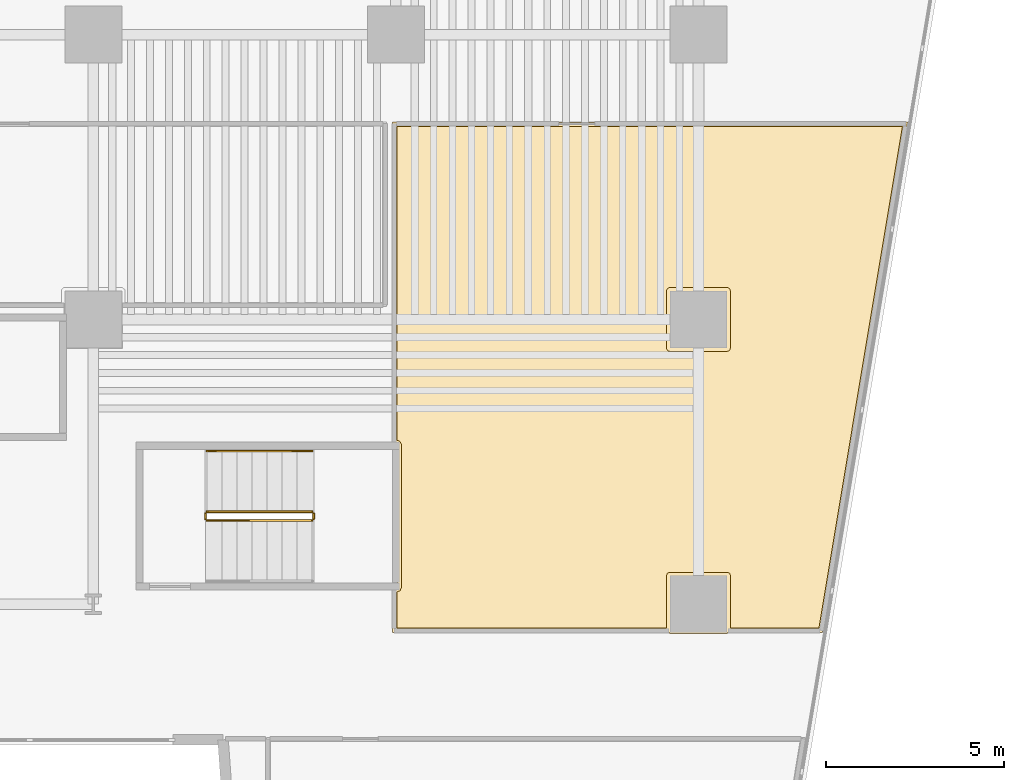
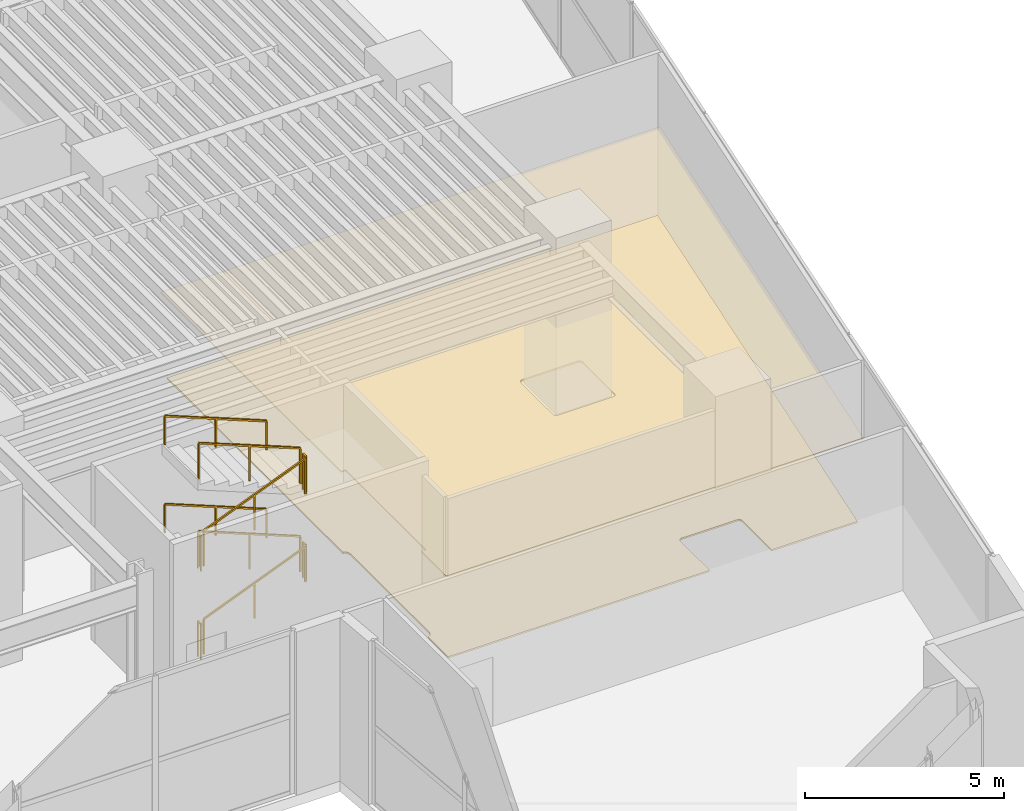
# One storey, part 15 of 16: 10 railings, 2 coverings.
"""IFC4 building model written with IfcOpenShell, lengths in metres."""

from ifc_helpers import new_model, si_unit, direction, frame, origin, origin_2d, place, context, subcontext, project, spatial, polyline, rectangle, outline, extrude, material, layer, layer_set, type_object, element, save


model = new_model("IFC4")

# Units and contexts
model_context = context("Model", 3, precision=1e-05, world=origin(), true_north=direction((0.0, 1.0)))
body_context = subcontext(model_context, "Body", "Model", "MODEL_VIEW")
ifc_project = project(units=[si_unit("LENGTHUNIT", "METRE"), si_unit("AREAUNIT", "SQUARE_METRE"), si_unit("VOLUMEUNIT", "CUBIC_METRE"), si_unit("PLANEANGLEUNIT", "RADIAN"), si_unit("MASSUNIT", "GRAM", prefix="KILO")], contexts=[model_context])

# Site, building, storey
site_placement = place(None, origin())
site = spatial("IfcSite", under=ifc_project, at=site_placement, CompositionType="ELEMENT")
building_placement = place(site_placement, origin())
building = spatial("IfcBuilding", under=site, at=building_placement, Name="Caeloran Harvest Quay", CompositionType="ELEMENT")
storey_placement = place(building_placement, frame((0.0, 0.0, 16.199951171875)))
storey = spatial("IfcBuildingStorey", under=building, at=storey_placement, Name="L04", CompositionType="ELEMENT", Elevation=16.199951171875)

# Coverings
ifc_material_1 = material(Name="Perforated Mineral-Fibre Acoustic Ceiling Tile", Category="ceiling")
ifc_layer_1 = layer(ifc_material_1, 0.0400390625, Name="Perforated Mineral-Fibre Acoustic Ceiling Tile")
ifc_layer_set_1 = layer_set([ifc_layer_1], Name="Perforated Mineral-Fibre Acoustic Ceiling Tile")
covering_type_1 = type_object("IfcCoveringType", Name="COV-CEILING-ACOUSTIC", PredefinedType="CEILING", material=ifc_layer_set_1)
covering_1_placement = place(storey_placement, frame((0.0, 0.0, 2.60009765625)))
element("IfcCovering", 1, at=covering_1_placement, inside=storey, type_object=covering_type_1, Name="Community Harvest Library Lounge Acoustic Ceiling", PredefinedType="CEILING", context=body_context, shape_type="SweptSolid", body=[
    extrude(outline(polyline([(51.820068359375, 14.179931640625), (50.179931640625, 14.179931640625), (50.179931640625, 14.2099609375), (42.409912109375, 14.2099609375), (42.409912109375, 15.4599609375), (42.52392578125, 15.46044921875), (42.5400390625, 15.48095703125), (42.5400390625, 19.468994140625), (42.52392578125, 19.489501953125), (42.409912109375, 19.489990234375), (42.409912109375, 28.5400390625), (56.87109375, 28.5400390625), (54.486083984375, 14.2099609375), (51.820068359375, 14.2099609375), (51.820068359375, 14.179931640625)])), origin(), (0.0, 0.0, 1.0), 0.0400390625),
])
ifc_material_2 = material(Name="Calcium-Sulphate Raised Access Floor and Terrazzo Finish", Category="flooring")
ifc_layer_2 = layer(ifc_material_2, 0.050048828125, Name="Calcium-Sulphate Raised Access Floor and Terrazzo Finish")
ifc_layer_set_2 = layer_set([ifc_layer_2], Name="Calcium-Sulphate Raised Access Floor and Terrazzo Finish")
covering_type_2 = type_object("IfcCoveringType", Name="COV-FLOOR-RAISED", PredefinedType="FLOORING", material=ifc_layer_set_2)
covering_2_placement = place(storey_placement, origin())
element("IfcCovering", 2, at=covering_2_placement, inside=storey, type_object=covering_type_2, Name="Community Harvest Library Lounge Raised Finish Flooring", PredefinedType="FLOORING", context=body_context, shape_type="SweptSolid", body=[
    extrude(outline(polyline([(42.530029296875, 15.34033203125), (42.62158203125, 15.3837890625), (42.659912109375, 15.47998046875), (42.659912109375, 19.473876953125), (42.62158203125, 19.566162109375), (42.530029296875, 19.609619140625), (42.530029296875, 28.419921875), (56.7294921875, 28.419921875), (54.38427734375, 14.330078125), (51.89501953125, 14.330078125), (51.89501953125, 15.81494140625), (51.876708984375, 15.86572265625), (51.82275390625, 15.89453125), (50.18505859375, 15.89501953125), (50.12841796875, 15.87158203125), (50.10498046875, 15.81494140625), (50.10498046875, 14.330078125), (42.530029296875, 14.330078125), (42.530029296875, 15.34033203125)]), holes=[polyline([(51.89501953125, 23.81494140625), (51.87158203125, 23.87158203125), (51.81494140625, 23.89501953125), (50.18505859375, 23.89501953125), (50.12841796875, 23.87158203125), (50.10498046875, 23.81494140625), (50.10498046875, 22.18505859375), (50.12841796875, 22.12841796875), (50.18505859375, 22.10498046875), (51.81494140625, 22.10498046875), (51.87158203125, 22.12841796875), (51.89501953125, 22.18505859375), (51.89501953125, 23.81494140625)])]), origin(), (0.0, 0.0, 1.0), 0.050048828125),
])

# Railings
ifc_material_3 = material(Name="Painted Steel Baluster and Top-Rail Stair Guard", Category="steel")
ifc_layer_3 = layer(ifc_material_3, 0.050048828125, Name="Painted Steel Baluster and Top-Rail Stair Guard")
ifc_layer_set_3 = layer_set([ifc_layer_3], Name="Painted Steel Baluster and Top-Rail Stair Guard")
railing_type_1 = type_object("IfcRailingType", Name="STAIR-GUARD-1100", PredefinedType="GUARDRAIL", material=ifc_layer_set_3)
railing_1_placement = place(storey_placement, frame((37.199951171875, 17.35009765625, 0.168701171875)))
element("IfcRailing", 3, at=railing_1_placement, inside=storey, type_object=railing_type_1, Name="L04 ST-P2 stair guard 1", PredefinedType="GUARDRAIL", context=body_context, shape_type="SweptSolid", body=[
    extrude(rectangle(XDim=0.048095703125, YDim=0.048095703125, at=origin_2d()), frame((0.0, 0.0, 1.076171875), z_axis=(0.927885657282, 0.0, 0.372864864274), x_axis=(0.0, 1.0, 0.0)), (0.0, 0.0, 1.0), 3.16845703125),
    extrude(rectangle(XDim=0.0419921875, YDim=0.0419921875, at=origin_2d()), origin(), (0.0, 0.0, 1.0), 1.052001953125),
    extrude(rectangle(XDim=0.0419921875, YDim=0.0419921875, at=origin_2d()), frame((1.469970703125, 0.0, 0.5908203125)), (0.0, 0.0, 1.0), 1.052001953125),
    extrude(rectangle(XDim=0.0419921875, YDim=0.0419921875, at=origin_2d()), frame((2.93994140625, 0.0, 1.181396484375)), (0.0, 0.0, 1.0), 1.052001953125),
])
railing_2_placement = place(storey_placement, frame((40.18994140625, 17.39990234375, 1.35009765625)))
element("IfcRailing", 4, at=railing_2_placement, inside=storey, type_object=railing_type_1, Name="L04 ST-P2 stair guard 2", PredefinedType="GUARDRAIL", context=body_context, shape_type="SweptSolid", body=[
    extrude(rectangle(XDim=0.048095703125, YDim=0.048095703125, at=origin_2d()), frame((0.0, 0.0, 1.076171875), z_axis=(0.0, 1.0, 0.0), x_axis=(-1.0, 0.0, 0.0)), (0.0, 0.0, 1.0), 0.150146484375),
    extrude(rectangle(XDim=0.0419921875, YDim=0.0419921875, at=origin_2d()), origin(), (0.0, 0.0, 1.0), 1.052001953125),
    extrude(rectangle(XDim=0.0419921875, YDim=0.0419921875, at=origin_2d()), frame((0.0, 0.150146484375, 0.0)), (0.0, 0.0, 1.0), 1.052001953125),
])
railing_3_placement = place(storey_placement, frame((40.139892578125, 17.60009765625, 1.518798828125)))
element("IfcRailing", 5, at=railing_3_placement, inside=storey, type_object=railing_type_1, Name="L04 ST-P2 stair guard 3", PredefinedType="GUARDRAIL", context=body_context, shape_type="SweptSolid", body=[
    extrude(rectangle(XDim=0.048095703125, YDim=0.048095703125, at=origin_2d()), frame((0.0, 0.0, 1.076171875), z_axis=(-0.927912314548, 0.0, 0.372798519995), x_axis=(0.0, -1.0, 0.0)), (0.0, 0.0, 1.0), 3.16845703125),
    extrude(rectangle(XDim=0.0419921875, YDim=0.0419921875, at=origin_2d()), origin(), (0.0, 0.0, 1.0), 1.052001953125),
    extrude(rectangle(XDim=0.0419921875, YDim=0.0419921875, at=origin_2d()), frame((-1.469970703125, 0.0, 0.590576171875)), (0.0, 0.0, 1.0), 1.052001953125),
    extrude(rectangle(XDim=0.0419921875, YDim=0.0419921875, at=origin_2d()), frame((-2.93994140625, 0.0, 1.18115234375)), (0.0, 0.0, 1.0), 1.052001953125),
])
railing_4_placement = place(storey_placement, frame((37.14990234375, 17.39990234375, 2.699951171875)))
element("IfcRailing", 6, at=railing_4_placement, inside=storey, type_object=railing_type_1, Name="L04 ST-P2 stair guard 4", PredefinedType="GUARDRAIL", context=body_context, shape_type="SweptSolid", body=[
    extrude(rectangle(XDim=0.048095703125, YDim=0.048095703125, at=origin_2d()), frame((0.0, 0.0, 1.076171875), z_axis=(0.0, 1.0, 0.0), x_axis=(-1.0, 0.0, 0.0)), (0.0, 0.0, 1.0), 0.150146484375),
    extrude(rectangle(XDim=0.0419921875, YDim=0.0419921875, at=origin_2d()), origin(), (0.0, 0.0, 1.0), 1.052001953125),
    extrude(rectangle(XDim=0.0419921875, YDim=0.0419921875, at=origin_2d()), frame((0.0, 0.150146484375, 0.0)), (0.0, 0.0, 1.0), 1.052001953125),
])
railing_5_placement = place(storey_placement, frame((37.199951171875, 17.35009765625, 2.868896484375)))
element("IfcRailing", 7, at=railing_5_placement, inside=storey, type_object=railing_type_1, Name="L04 ST-P2 stair guard 5", PredefinedType="GUARDRAIL", context=body_context, shape_type="SweptSolid", body=[
    extrude(rectangle(XDim=0.048095703125, YDim=0.048095703125, at=origin_2d()), frame((0.0, 0.0, 1.076171875), z_axis=(0.927912314548, 0.0, 0.372798519995), x_axis=(0.0, 1.0, 0.0)), (0.0, 0.0, 1.0), 3.16845703125),
    extrude(rectangle(XDim=0.0419921875, YDim=0.0419921875, at=origin_2d()), origin(), (0.0, 0.0, 1.0), 1.052001953125),
    extrude(rectangle(XDim=0.0419921875, YDim=0.0419921875, at=origin_2d()), frame((1.469970703125, 0.0, 0.590576171875)), (0.0, 0.0, 1.0), 1.052001953125),
    extrude(rectangle(XDim=0.0419921875, YDim=0.0419921875, at=origin_2d()), frame((2.93994140625, 0.0, 1.18115234375)), (0.0, 0.0, 1.0), 1.052001953125),
])
railing_6_placement = place(storey_placement, frame((40.18994140625, 17.39990234375, 4.050048828125)))
element("IfcRailing", 8, at=railing_6_placement, inside=storey, type_object=railing_type_1, Name="L04 ST-P2 stair guard 6", PredefinedType="GUARDRAIL", context=body_context, shape_type="SweptSolid", body=[
    extrude(rectangle(XDim=0.048095703125, YDim=0.048095703125, at=origin_2d()), frame((0.0, 0.0, 1.076171875), z_axis=(0.0, 1.0, 0.0), x_axis=(-1.0, 0.0, 0.0)), (0.0, 0.0, 1.0), 0.150146484375),
    extrude(rectangle(XDim=0.0419921875, YDim=0.0419921875, at=origin_2d()), origin(), (0.0, 0.0, 1.0), 1.052001953125),
    extrude(rectangle(XDim=0.0419921875, YDim=0.0419921875, at=origin_2d()), frame((0.0, 0.150146484375, 0.0)), (0.0, 0.0, 1.0), 1.052001953125),
])
railing_7_placement = place(storey_placement, frame((40.139892578125, 17.60009765625, 4.21875)))
element("IfcRailing", 9, at=railing_7_placement, inside=storey, type_object=railing_type_1, Name="L04 ST-P2 stair guard 7", PredefinedType="GUARDRAIL", context=body_context, shape_type="SweptSolid", body=[
    extrude(rectangle(XDim=0.048095703125, YDim=0.048095703125, at=origin_2d()), frame((0.0, 0.0, 1.076171875), z_axis=(-0.927885657282, 0.0, 0.372864864274), x_axis=(0.0, -1.0, 0.0)), (0.0, 0.0, 1.0), 3.16845703125),
    extrude(rectangle(XDim=0.0419921875, YDim=0.0419921875, at=origin_2d()), origin(), (0.0, 0.0, 1.0), 1.052001953125),
    extrude(rectangle(XDim=0.0419921875, YDim=0.0419921875, at=origin_2d()), frame((-1.469970703125, 0.0, 0.5908203125)), (0.0, 0.0, 1.0), 1.052001953125),
    extrude(rectangle(XDim=0.0419921875, YDim=0.0419921875, at=origin_2d()), frame((-2.93994140625, 0.0, 1.181396484375)), (0.0, 0.0, 1.0), 1.052001953125),
])
railing_8_placement = place(storey_placement, frame((37.14990234375, 17.39990234375, 0.0)))
element("IfcRailing", 10, at=railing_8_placement, inside=storey, type_object=railing_type_1, Name="L04 ST-P2 stair guard 8", PredefinedType="GUARDRAIL", context=body_context, shape_type="SweptSolid", body=[
    extrude(rectangle(XDim=0.048095703125, YDim=0.048095703125, at=origin_2d()), frame((0.0, 0.0, 1.076171875), z_axis=(0.0, 1.0, 0.0), x_axis=(-1.0, 0.0, 0.0)), (0.0, 0.0, 1.0), 0.150146484375),
    extrude(rectangle(XDim=0.0419921875, YDim=0.0419921875, at=origin_2d()), origin(), (0.0, 0.0, 1.0), 1.052001953125),
    extrude(rectangle(XDim=0.0419921875, YDim=0.0419921875, at=origin_2d()), frame((0.0, 0.150146484375, 0.0)), (0.0, 0.0, 1.0), 1.052001953125),
])
ifc_material_4 = material(Name="Brushed Stainless Steel Grade 304", Category="steel")
ifc_layer_4 = layer(ifc_material_4, 0.050048828125, Name="Brushed Stainless Steel Grade 304")
ifc_layer_set_4 = layer_set([ifc_layer_4], Name="Brushed Stainless Steel Grade 304")
railing_type_2 = type_object("IfcRailingType", Name="STAIR-HANDRAIL-900", PredefinedType="HANDRAIL", material=ifc_layer_set_4)
railing_9_placement = place(storey_placement, frame((40.139892578125, 19.300048828125, 1.518798828125)))
element("IfcRailing", 11, at=railing_9_placement, inside=storey, type_object=railing_type_2, Name="L04 ST-P2 stair handrail 2", PredefinedType="HANDRAIL", context=body_context, shape_type="SweptSolid", body=[
    extrude(rectangle(XDim=0.048095703125, YDim=0.048095703125, at=origin_2d()), frame((0.0, 0.0, 0.8759765625), z_axis=(-0.927912314548, 0.0, 0.372798519995), x_axis=(0.0, -1.0, 0.0)), (0.0, 0.0, 1.0), 3.16845703125),
    extrude(rectangle(XDim=0.0419921875, YDim=0.0419921875, at=origin_2d()), origin(), (0.0, 0.0, 1.0), 0.851806640625),
    extrude(rectangle(XDim=0.0419921875, YDim=0.0419921875, at=origin_2d()), frame((-1.469970703125, 0.0, 0.590576171875)), (0.0, 0.0, 1.0), 0.851806640625),
    extrude(rectangle(XDim=0.0419921875, YDim=0.0419921875, at=origin_2d()), frame((-2.93994140625, 0.0, 1.18115234375)), (0.0, 0.0, 1.0), 0.851806640625),
])
railing_10_placement = place(storey_placement, frame((40.139892578125, 19.300048828125, 4.21875)))
element("IfcRailing", 12, at=railing_10_placement, inside=storey, type_object=railing_type_2, Name="L04 ST-P2 stair handrail 4", PredefinedType="HANDRAIL", context=body_context, shape_type="SweptSolid", body=[
    extrude(rectangle(XDim=0.048095703125, YDim=0.048095703125, at=origin_2d()), frame((0.0, 0.0, 0.8759765625), z_axis=(-0.927885657282, 0.0, 0.372864864274), x_axis=(0.0, -1.0, 0.0)), (0.0, 0.0, 1.0), 3.16845703125),
    extrude(rectangle(XDim=0.0419921875, YDim=0.0419921875, at=origin_2d()), origin(), (0.0, 0.0, 1.0), 0.851806640625),
    extrude(rectangle(XDim=0.0419921875, YDim=0.0419921875, at=origin_2d()), frame((-1.469970703125, 0.0, 0.5908203125)), (0.0, 0.0, 1.0), 0.851806640625),
    extrude(rectangle(XDim=0.0419921875, YDim=0.0419921875, at=origin_2d()), frame((-2.93994140625, 0.0, 1.181396484375)), (0.0, 0.0, 1.0), 0.851806640625),
])

save(model, "model.ifc")
